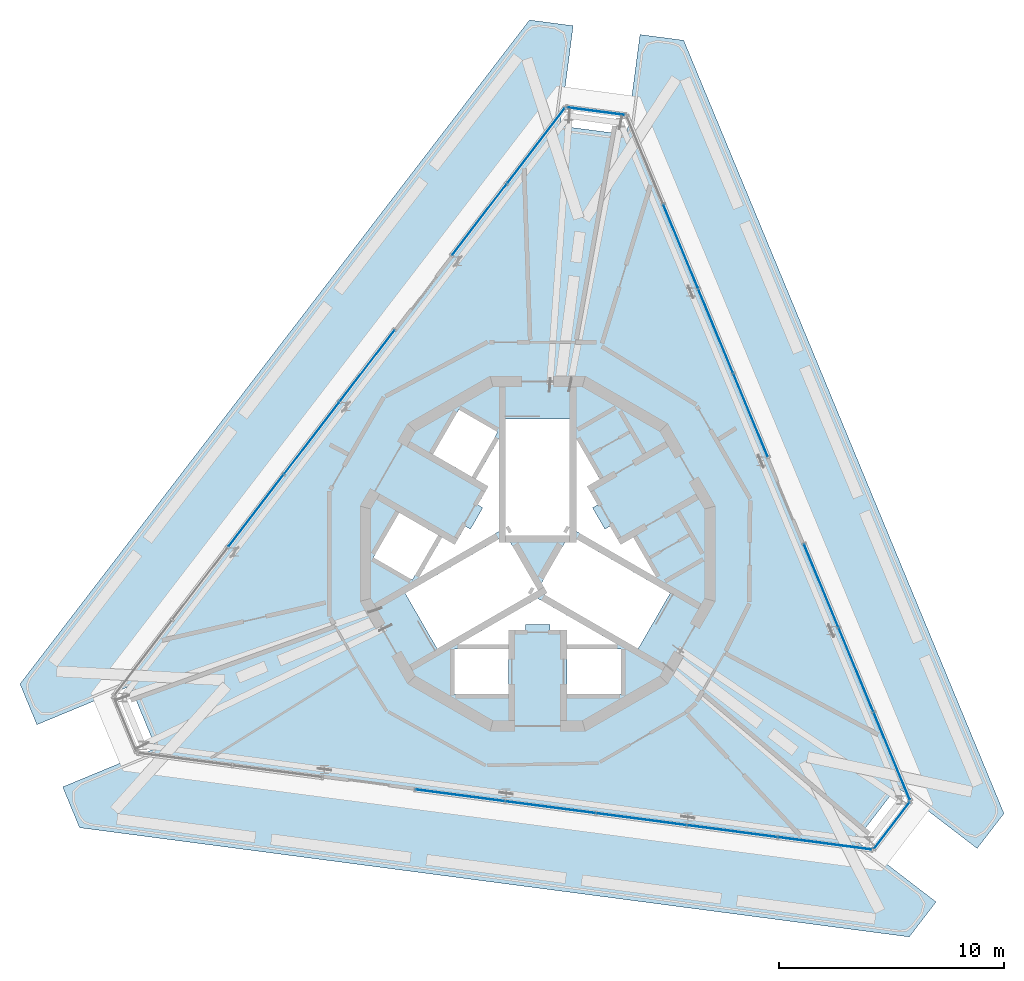
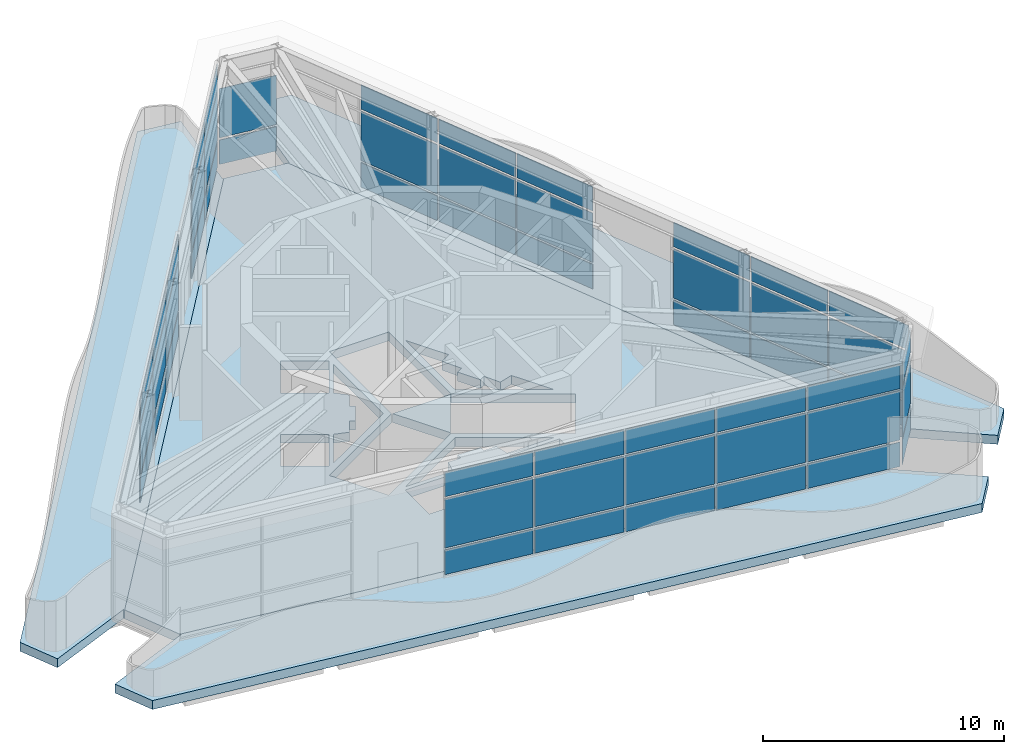
# One storey, part 6 of 10: 53 plates, 5 slabs, 7 elements without a shape of their own.
"""IFC4 building model written with IfcOpenShell, lengths in metres."""

from ifc_helpers import new_model, si_unit, direction, frame, origin, origin_2d, place, context, subcontext, project, spatial, polyline, rectangle, outline, extrude, material, layer, layer_set, type_object, element, aggregate, save


model = new_model("IFC4")

# Units and contexts
model_context = context("Model", 3, precision=1e-05, world=origin(), true_north=direction((0.0, 1.0)))
body_context = subcontext(model_context, "Body", "Model", "MODEL_VIEW")
ifc_project = project(units=[si_unit("LENGTHUNIT", "METRE"), si_unit("AREAUNIT", "SQUARE_METRE"), si_unit("VOLUMEUNIT", "CUBIC_METRE"), si_unit("PLANEANGLEUNIT", "RADIAN"), si_unit("MASSUNIT", "GRAM", prefix="KILO")], contexts=[model_context])

# Site, building, storey
site_placement = place(None, origin())
site = spatial("IfcSite", under=ifc_project, at=site_placement, CompositionType="ELEMENT")
building_placement = place(site_placement, origin())
building = spatial("IfcBuilding", under=site, at=building_placement, Name="Trine Commons Tower", CompositionType="ELEMENT")
storey_placement = place(building_placement, frame((0.0, 0.0, 300.60009765625)))
storey = spatial("IfcBuildingStorey", under=building, at=storey_placement, Name="CROWN", CompositionType="ELEMENT", Elevation=300.60009765625)

# Slabs
ifc_material_1 = material(Name="Concrete C40/50", Category="concrete")
ifc_layer_1 = layer(ifc_material_1, 0.449951171875)
ifc_layer_set_1 = layer_set([ifc_layer_1], Name="Concrete C40/50")
slab_type_1 = type_object("IfcSlabType", Name="Crown floor slab 450 mm, C40/50", PredefinedType="FLOOR", material=ifc_layer_set_1)
slab_1_placement = place(storey_placement, frame((0.0, 0.0, -0.4501953125)))
element("IfcSlab", 1, at=slab_1_placement, inside=storey, type_object=slab_type_1, Name="Floor slab CROWN", PredefinedType="FLOOR", context=body_context, shape_type="SweptSolid", body=[
    extrude(outline(polyline([(94.206298828125, 49.77978515625), (95.963623046875, 52.070068359375), (83.912841796875, 81.1630859375), (81.05078125, 81.539794921875), (61.880859375, 56.55712890625), (62.985595703125, 53.89013671875), (94.206298828125, 49.77978515625)]), holes=[polyline([(78.699951171875, 56.25), (78.699951171875, 58.25), (76.300048828125, 58.25), (76.300048828125, 56.25), (78.699951171875, 56.25)]), polyline([(83.699951171875, 56.25), (83.699951171875, 58.25), (81.300048828125, 58.25), (81.300048828125, 56.25), (83.699951171875, 56.25)]), polyline([(81.300048828125, 58.449951171875), (83.56494140625, 58.449951171875), (80.0, 60.508056640625), (76.43505859375, 58.449951171875), (78.699951171875, 58.449951171875), (78.85009765625, 59.10009765625), (79.449951171875, 59.10009765625), (79.449951171875, 59.360107421875), (80.550048828125, 59.360107421875), (80.550048828125, 59.10009765625), (81.14990234375, 59.10009765625), (81.300048828125, 58.449951171875)]), polyline([(81.425048828125, 63.32275390625), (81.425048828125, 68.490478515625), (78.574951171875, 68.490478515625), (78.574951171875, 63.32275390625), (74.099609375, 60.73876953125), (75.5244140625, 58.2705078125), (80.0, 60.8544921875), (84.4755859375, 58.2705078125), (85.900390625, 60.73876953125), (81.425048828125, 63.32275390625)]), polyline([(72.687255859375, 62.333984375), (74.41943359375, 61.333984375), (75.5693359375, 63.325927734375), (73.83740234375, 64.325927734375), (72.687255859375, 62.333984375)]), polyline([(76.381103515625, 63.031005859375), (75.742919921875, 63.22607421875), (74.7099609375, 61.43798828125), (78.27490234375, 63.49609375), (78.27490234375, 67.612060546875), (77.242919921875, 65.823974609375), (77.73095703125, 65.368896484375), (77.3310546875, 64.676025390625), (77.555908203125, 64.5458984375), (77.006103515625, 63.593994140625), (76.781005859375, 63.722900390625), (76.381103515625, 63.031005859375)]), polyline([(82.993896484375, 63.593994140625), (82.444091796875, 64.5458984375), (82.72705078125, 64.7099609375), (82.281005859375, 65.549072265625), (82.757080078125, 65.823974609375), (81.72509765625, 67.612060546875), (81.72509765625, 63.49609375), (85.2900390625, 61.43798828125), (84.257080078125, 63.22607421875), (83.618896484375, 63.031005859375), (83.243896484375, 63.738037109375), (82.993896484375, 63.593994140625)]), polyline([(76.4873046875, 68.916015625), (75.33740234375, 66.924072265625), (77.0693359375, 65.924072265625), (78.219482421875, 67.916015625), (76.4873046875, 68.916015625)])]), origin(), (0.0, 0.0, 1.0), 0.4501953125),
])
slab_2_placement = place(storey_placement, frame((0.0, 0.0, -0.4501953125)))
element("IfcSlab", 2, at=slab_2_placement, inside=storey, type_object=slab_type_1, Name="Floor slab CROWN 2", PredefinedType="FLOOR", context=body_context, shape_type="SweptSolid", body=[
    extrude(outline(polyline([(81.38671875, 63.300537109375), (78.61328125, 63.300537109375), (80.0, 60.89892578125), (81.38671875, 63.300537109375)])), origin(), (0.0, 0.0, 1.0), 0.4501953125),
])

# Curtain wall, plates
ifc_material_2 = material(Name="Crown drum glazing: anodised aluminium frame with low-emissivity double glazed unit, fritted", Category="aluminium")
ifc_layer_2 = layer(ifc_material_2, 0.219970703125)
ifc_layer_set_2 = layer_set([ifc_layer_2], Name="Crown drum glazing: anodised aluminium frame with low-emissivity double glazed unit, fritted")
curtain_wall_type = type_object("IfcCurtainWallType", Name="Crown drum glazing curtain wall CW6", PredefinedType="NOTDEFINED", material=ifc_layer_set_2)
curtain_wall_1_placement = place(storey_placement, origin())
curtain_wall_1 = element("IfcCurtainWall", 3, at=curtain_wall_1_placement, inside=storey, type_object=curtain_wall_type, Name="Crown drum glazing D1.2", PredefinedType="NOTDEFINED")
ifc_material_3 = material(Name="Low-emissivity double glazed unit, fritted")
ifc_layer_3 = layer(ifc_material_3, 0.028076171875)
ifc_layer_set_3 = layer_set([ifc_layer_3], Name="Low-emissivity double glazed unit, fritted")
plate_type_1 = type_object("IfcPlateType", Name="Double glazed unit 28 mm (crown)", PredefinedType="CURTAIN_PANEL", material=ifc_layer_set_3)
plate_1_placement = place(storey_placement, frame((76.5458984375, 51.74169921875, 1.455078125), z_axis=(0.0, 0.0, 1.0), x_axis=(0.991444861374, -0.13052619222, 0.0)))
plate_1 = element("IfcPlate", 4, at=plate_1_placement, type_object=plate_type_1, Name="CW6 panel 1.2", PredefinedType="CURTAIN_PANEL", context=body_context, shape_type="SweptSolid", body=[
    extrude(rectangle(XDim=3.960693359375, YDim=0.028076171875, at=origin_2d()), origin(), (0.0, 0.0, 1.0), 2.489990234375),
])
plate_2_placement = place(storey_placement, frame((80.57177734375, 51.211669921875, 1.455078125), z_axis=(0.0, 0.0, 1.0), x_axis=(0.991444861374, -0.13052619222, 0.0)))
plate_2 = element("IfcPlate", 5, at=plate_2_placement, type_object=plate_type_1, Name="CW6 panel 2.2", PredefinedType="CURTAIN_PANEL", context=body_context, shape_type="SweptSolid", body=[
    extrude(rectangle(XDim=4.00048828125, YDim=0.028076171875, at=origin_2d()), origin(), (0.0, 0.0, 1.0), 2.489990234375),
])
plate_3_placement = place(storey_placement, frame((84.617431640625, 50.67919921875, 1.455078125), z_axis=(0.0, 0.0, 1.0), x_axis=(0.991444861374, -0.13052619222, 0.0)))
plate_3 = element("IfcPlate", 6, at=plate_3_placement, type_object=plate_type_1, Name="CW6 panel 3.2", PredefinedType="CURTAIN_PANEL", context=body_context, shape_type="SweptSolid", body=[
    extrude(rectangle(XDim=4.00048828125, YDim=0.028076171875, at=origin_2d()), origin(), (0.0, 0.0, 1.0), 2.489990234375),
])
plate_4_placement = place(storey_placement, frame((88.6630859375, 50.146484375, 1.455078125), z_axis=(0.0, 0.0, 1.0), x_axis=(0.991444861374, -0.13052619222, 0.0)))
plate_4 = element("IfcPlate", 7, at=plate_4_placement, type_object=plate_type_1, Name="CW6 panel 4.2", PredefinedType="CURTAIN_PANEL", context=body_context, shape_type="SweptSolid", body=[
    extrude(rectangle(XDim=4.00048828125, YDim=0.028076171875, at=origin_2d()), origin(), (0.0, 0.0, 1.0), 2.489990234375),
])
plate_5_placement = place(storey_placement, frame((92.7919921875, 49.602783203125, 1.455078125), z_axis=(0.0, 0.0, 1.0), x_axis=(0.991444861374, -0.13052619222, 0.0)))
plate_5 = element("IfcPlate", 8, at=plate_5_placement, type_object=plate_type_1, Name="CW6 panel 5.2", PredefinedType="CURTAIN_PANEL", context=body_context, shape_type="SweptSolid", body=[
    extrude(rectangle(XDim=4.16845703125, YDim=0.028076171875, at=origin_2d()), origin(), (0.0, 0.0, 1.0), 2.489990234375),
])

# Curtain wall, plate
curtain_wall_2_placement = place(storey_placement, origin())
curtain_wall_2 = element("IfcCurtainWall", 9, at=curtain_wall_2_placement, inside=storey, type_object=curtain_wall_type, Name="Crown drum glazing D2.1", PredefinedType="NOTDEFINED")
plate_6_placement = place(storey_placement, frame((95.76708984375, 50.4013671875, 1.455078125), z_axis=(0.0, 0.0, 1.0), x_axis=(0.608761429009, 0.793353340291, 0.0)))
plate_6 = element("IfcPlate", 10, at=plate_6_placement, type_object=plate_type_1, Name="CW6 panel 1.2", PredefinedType="CURTAIN_PANEL", context=body_context, shape_type="SweptSolid", body=[
    extrude(rectangle(XDim=2.565185546875, YDim=0.028076171875, at=origin_2d()), origin(), (0.0, 0.0, 1.0), 2.489990234375),
])

# Curtain wall, plates
curtain_wall_3_placement = place(storey_placement, origin())
curtain_wall_3 = element("IfcCurtainWall", 11, at=curtain_wall_3_placement, inside=storey, type_object=curtain_wall_type, Name="Crown drum glazing D3.1", PredefinedType="NOTDEFINED")
plate_7_placement = place(storey_placement, frame((95.7685546875, 53.481689453125, 1.455078125), z_axis=(0.0, 0.0, 1.0), x_axis=(-0.382683432365, 0.923879532511, 0.0)))
plate_7 = element("IfcPlate", 12, at=plate_7_placement, type_object=plate_type_1, Name="CW6 panel 1.2", PredefinedType="CURTAIN_PANEL", context=body_context, shape_type="SweptSolid", body=[
    extrude(rectangle(XDim=4.16845703125, YDim=0.028076171875, at=origin_2d()), origin(), (0.0, 0.0, 1.0), 2.489990234375),
])
plate_8_placement = place(storey_placement, frame((94.1748046875, 57.329345703125, 1.455078125), z_axis=(0.0, 0.0, 1.0), x_axis=(-0.382683432365, 0.923879532511, 0.0)))
plate_8 = element("IfcPlate", 13, at=plate_8_placement, type_object=plate_type_1, Name="CW6 panel 2.2", PredefinedType="CURTAIN_PANEL", context=body_context, shape_type="SweptSolid", body=[
    extrude(rectangle(XDim=4.00048828125, YDim=0.028076171875, at=origin_2d()), origin(), (0.0, 0.0, 1.0), 2.489990234375),
])
plate_9_placement = place(storey_placement, frame((92.620849609375, 61.080810546875, 1.455078125), z_axis=(0.0, 0.0, 1.0), x_axis=(-0.382683432365, 0.923879532511, 0.0)))
plate_9 = element("IfcPlate", 14, at=plate_9_placement, type_object=plate_type_1, Name="CW6 panel 3.2", PredefinedType="CURTAIN_PANEL", context=body_context, shape_type="SweptSolid", body=[
    extrude(rectangle(XDim=3.960693359375, YDim=0.028076171875, at=origin_2d()), origin(), (0.0, 0.0, 1.0), 2.489990234375),
])

curtain_wall_4_placement = place(storey_placement, origin())
curtain_wall_4 = element("IfcCurtainWall", 15, at=curtain_wall_4_placement, inside=storey, type_object=curtain_wall_type, Name="Crown drum glazing D3.2", PredefinedType="NOTDEFINED")
plate_10_placement = place(storey_placement, frame((89.482421875, 68.65771484375, 1.455078125), z_axis=(0.0, 0.0, 1.0), x_axis=(-0.382683432365, 0.923879532511, 0.0)))
plate_10 = element("IfcPlate", 16, at=plate_10_placement, type_object=plate_type_1, Name="CW6 panel 1.2", PredefinedType="CURTAIN_PANEL", context=body_context, shape_type="SweptSolid", body=[
    extrude(rectangle(XDim=3.960693359375, YDim=0.028076171875, at=origin_2d()), origin(), (0.0, 0.0, 1.0), 2.489990234375),
])
plate_11_placement = place(storey_placement, frame((87.928466796875, 72.4091796875, 1.455078125), z_axis=(0.0, 0.0, 1.0), x_axis=(-0.382683432365, 0.923879532511, 0.0)))
plate_11 = element("IfcPlate", 17, at=plate_11_placement, type_object=plate_type_1, Name="CW6 panel 2.2", PredefinedType="CURTAIN_PANEL", context=body_context, shape_type="SweptSolid", body=[
    extrude(rectangle(XDim=4.00048828125, YDim=0.028076171875, at=origin_2d()), origin(), (0.0, 0.0, 1.0), 2.489990234375),
])
plate_12_placement = place(storey_placement, frame((86.366943359375, 76.17919921875, 1.455078125), z_axis=(0.0, 0.0, 1.0), x_axis=(-0.382683432365, 0.923879532511, 0.0)))
plate_12 = element("IfcPlate", 18, at=plate_12_placement, type_object=plate_type_1, Name="CW6 panel 3.2", PredefinedType="CURTAIN_PANEL", context=body_context, shape_type="SweptSolid", body=[
    extrude(rectangle(XDim=4.00048828125, YDim=0.028076171875, at=origin_2d()), origin(), (0.0, 0.0, 1.0), 2.489990234375),
])

# Curtain wall, plate
curtain_wall_5_placement = place(storey_placement, origin())
curtain_wall_5 = element("IfcCurtainWall", 19, at=curtain_wall_5_placement, inside=storey, type_object=curtain_wall_type, Name="Crown drum glazing D4.1", PredefinedType="NOTDEFINED")
plate_13_placement = place(storey_placement, frame((82.593994140625, 82.2041015625, 1.455078125), z_axis=(0.0, 0.0, 1.0), x_axis=(-0.991444861374, 0.13052619222, 0.0)))
plate_13 = element("IfcPlate", 20, at=plate_13_placement, type_object=plate_type_1, Name="CW6 panel 1.2", PredefinedType="CURTAIN_PANEL", context=body_context, shape_type="SweptSolid", body=[
    extrude(rectangle(XDim=2.565185546875, YDim=0.028076171875, at=origin_2d()), origin(), (0.0, 0.0, 1.0), 2.489990234375),
])

# Curtain wall, plates
curtain_wall_6_placement = place(storey_placement, origin())
curtain_wall_6 = element("IfcCurtainWall", 21, at=curtain_wall_6_placement, inside=storey, type_object=curtain_wall_type, Name="Crown drum glazing D5.1", PredefinedType="NOTDEFINED")
plate_14_placement = place(storey_placement, frame((79.92578125, 80.6650390625, 1.455078125), z_axis=(0.0, 0.0, 1.0), x_axis=(-0.608761429009, -0.793353340291, 0.0)))
plate_14 = element("IfcPlate", 22, at=plate_14_placement, type_object=plate_type_1, Name="CW6 panel 1.2", PredefinedType="CURTAIN_PANEL", context=body_context, shape_type="SweptSolid", body=[
    extrude(rectangle(XDim=4.16845703125, YDim=0.028076171875, at=origin_2d()), origin(), (0.0, 0.0, 1.0), 2.489990234375),
])
plate_15_placement = place(storey_placement, frame((77.402587890625, 77.376953125, 1.455078125), z_axis=(0.0, 0.0, 1.0), x_axis=(-0.608761429009, -0.793353340291, 0.0)))
plate_15 = element("IfcPlate", 23, at=plate_15_placement, type_object=plate_type_1, Name="CW6 panel 2.2", PredefinedType="CURTAIN_PANEL", context=body_context, shape_type="SweptSolid", body=[
    extrude(rectangle(XDim=3.960693359375, YDim=0.028076171875, at=origin_2d()), origin(), (0.0, 0.0, 1.0), 2.489990234375),
])

curtain_wall_7_placement = place(storey_placement, origin())
curtain_wall_7 = element("IfcCurtainWall", 24, at=curtain_wall_7_placement, inside=storey, type_object=curtain_wall_type, Name="Crown drum glazing D5.2", PredefinedType="NOTDEFINED")
plate_16_placement = place(storey_placement, frame((72.41015625, 70.87060546875, 1.455078125), z_axis=(0.0, 0.0, 1.0), x_axis=(-0.608761429009, -0.793353340291, 0.0)))
plate_16 = element("IfcPlate", 25, at=plate_16_placement, type_object=plate_type_1, Name="CW6 panel 1.2", PredefinedType="CURTAIN_PANEL", context=body_context, shape_type="SweptSolid", body=[
    extrude(rectangle(XDim=3.960693359375, YDim=0.028076171875, at=origin_2d()), origin(), (0.0, 0.0, 1.0), 2.489990234375),
])
plate_17_placement = place(storey_placement, frame((69.938232421875, 67.64892578125, 1.455078125), z_axis=(0.0, 0.0, 1.0), x_axis=(-0.608761429009, -0.793353340291, 0.0)))
plate_17 = element("IfcPlate", 26, at=plate_17_placement, type_object=plate_type_1, Name="CW6 panel 2.2", PredefinedType="CURTAIN_PANEL", context=body_context, shape_type="SweptSolid", body=[
    extrude(rectangle(XDim=4.00048828125, YDim=0.028076171875, at=origin_2d()), origin(), (0.0, 0.0, 1.0), 2.489990234375),
])
plate_18_placement = place(storey_placement, frame((67.4541015625, 64.41162109375, 1.455078125), z_axis=(0.0, 0.0, 1.0), x_axis=(-0.608761429009, -0.793353340291, 0.0)))
plate_18 = element("IfcPlate", 27, at=plate_18_placement, type_object=plate_type_1, Name="CW6 panel 3.2", PredefinedType="CURTAIN_PANEL", context=body_context, shape_type="SweptSolid", body=[
    extrude(rectangle(XDim=4.00048828125, YDim=0.028076171875, at=origin_2d()), origin(), (0.0, 0.0, 1.0), 2.489990234375),
])

# Plate
ifc_material_4 = material(Name="Anodised aluminium louvre blades", Category="aluminium")
ifc_layer_4 = layer(ifc_material_4, 0.10009765625)
ifc_layer_set_4 = layer_set([ifc_layer_4], Name="Anodised aluminium louvre blades")
plate_type_2 = type_object("IfcPlateType", Name="Fixed aluminium louvre panel 100", PredefinedType="CURTAIN_PANEL", material=ifc_layer_set_4)
plate_19_placement = place(storey_placement, frame((76.5458984375, 51.74169921875, 0.10986328125), z_axis=(0.0, 0.0, 1.0), x_axis=(0.991444861374, -0.13052619222, 0.0)))
plate_19 = element("IfcPlate", 28, at=plate_19_placement, type_object=plate_type_2, Name="CW6 panel 1.1", PredefinedType="CURTAIN_PANEL", context=body_context, shape_type="SweptSolid", body=[
    extrude(rectangle(XDim=3.960693359375, YDim=0.028076171875, at=origin_2d()), origin(), (0.0, 0.0, 1.0), 1.235107421875),
])

plate_20_placement = place(storey_placement, frame((76.5458984375, 51.74169921875, 4.0546875), z_axis=(0.0, 0.0, 1.0), x_axis=(0.991444861374, -0.13052619222, 0.0)))
plate_20 = element("IfcPlate", 29, at=plate_20_placement, type_object=plate_type_2, Name="CW6 panel 1.3", PredefinedType="CURTAIN_PANEL", context=body_context, shape_type="SweptSolid", body=[
    extrude(rectangle(XDim=3.960693359375, YDim=0.028076171875, at=origin_2d()), origin(), (0.0, 0.0, 1.0), 1.235107421875),
])

plate_21_placement = place(storey_placement, frame((80.57177734375, 51.211669921875, 0.10986328125), z_axis=(0.0, 0.0, 1.0), x_axis=(0.991444861374, -0.13052619222, 0.0)))
plate_21 = element("IfcPlate", 30, at=plate_21_placement, type_object=plate_type_2, Name="CW6 panel 2.1", PredefinedType="CURTAIN_PANEL", context=body_context, shape_type="SweptSolid", body=[
    extrude(rectangle(XDim=4.00048828125, YDim=0.028076171875, at=origin_2d()), origin(), (0.0, 0.0, 1.0), 1.235107421875),
])

plate_22_placement = place(storey_placement, frame((80.57177734375, 51.211669921875, 4.0546875), z_axis=(0.0, 0.0, 1.0), x_axis=(0.991444861374, -0.13052619222, 0.0)))
plate_22 = element("IfcPlate", 31, at=plate_22_placement, type_object=plate_type_2, Name="CW6 panel 2.3", PredefinedType="CURTAIN_PANEL", context=body_context, shape_type="SweptSolid", body=[
    extrude(rectangle(XDim=4.00048828125, YDim=0.028076171875, at=origin_2d()), origin(), (0.0, 0.0, 1.0), 1.235107421875),
])

plate_23_placement = place(storey_placement, frame((84.617431640625, 50.67919921875, 0.10986328125), z_axis=(0.0, 0.0, 1.0), x_axis=(0.991444861374, -0.13052619222, 0.0)))
plate_23 = element("IfcPlate", 32, at=plate_23_placement, type_object=plate_type_2, Name="CW6 panel 3.1", PredefinedType="CURTAIN_PANEL", context=body_context, shape_type="SweptSolid", body=[
    extrude(rectangle(XDim=4.00048828125, YDim=0.028076171875, at=origin_2d()), origin(), (0.0, 0.0, 1.0), 1.235107421875),
])

plate_24_placement = place(storey_placement, frame((84.617431640625, 50.67919921875, 4.0546875), z_axis=(0.0, 0.0, 1.0), x_axis=(0.991444861374, -0.13052619222, 0.0)))
plate_24 = element("IfcPlate", 33, at=plate_24_placement, type_object=plate_type_2, Name="CW6 panel 3.3", PredefinedType="CURTAIN_PANEL", context=body_context, shape_type="SweptSolid", body=[
    extrude(rectangle(XDim=4.00048828125, YDim=0.028076171875, at=origin_2d()), origin(), (0.0, 0.0, 1.0), 1.235107421875),
])

plate_25_placement = place(storey_placement, frame((88.6630859375, 50.146484375, 0.10986328125), z_axis=(0.0, 0.0, 1.0), x_axis=(0.991444861374, -0.13052619222, 0.0)))
plate_25 = element("IfcPlate", 34, at=plate_25_placement, type_object=plate_type_2, Name="CW6 panel 4.1", PredefinedType="CURTAIN_PANEL", context=body_context, shape_type="SweptSolid", body=[
    extrude(rectangle(XDim=4.00048828125, YDim=0.028076171875, at=origin_2d()), origin(), (0.0, 0.0, 1.0), 1.235107421875),
])

plate_26_placement = place(storey_placement, frame((88.6630859375, 50.146484375, 4.0546875), z_axis=(0.0, 0.0, 1.0), x_axis=(0.991444861374, -0.13052619222, 0.0)))
plate_26 = element("IfcPlate", 35, at=plate_26_placement, type_object=plate_type_2, Name="CW6 panel 4.3", PredefinedType="CURTAIN_PANEL", context=body_context, shape_type="SweptSolid", body=[
    extrude(rectangle(XDim=4.00048828125, YDim=0.028076171875, at=origin_2d()), origin(), (0.0, 0.0, 1.0), 1.235107421875),
])

plate_27_placement = place(storey_placement, frame((92.7919921875, 49.602783203125, 0.10986328125), z_axis=(0.0, 0.0, 1.0), x_axis=(0.991444861374, -0.13052619222, 0.0)))
plate_27 = element("IfcPlate", 36, at=plate_27_placement, type_object=plate_type_2, Name="CW6 panel 5.1", PredefinedType="CURTAIN_PANEL", context=body_context, shape_type="SweptSolid", body=[
    extrude(rectangle(XDim=4.16845703125, YDim=0.028076171875, at=origin_2d()), origin(), (0.0, 0.0, 1.0), 1.235107421875),
])

plate_28_placement = place(storey_placement, frame((92.7919921875, 49.602783203125, 4.0546875), z_axis=(0.0, 0.0, 1.0), x_axis=(0.991444861374, -0.13052619222, 0.0)))
plate_28 = element("IfcPlate", 37, at=plate_28_placement, type_object=plate_type_2, Name="CW6 panel 5.3", PredefinedType="CURTAIN_PANEL", context=body_context, shape_type="SweptSolid", body=[
    extrude(rectangle(XDim=4.16845703125, YDim=0.028076171875, at=origin_2d()), origin(), (0.0, 0.0, 1.0), 1.235107421875),
])

aggregate(curtain_wall_1, [plate_19, plate_1, plate_20, plate_21, plate_2, plate_22, plate_23, plate_3, plate_24, plate_25, plate_4, plate_26, plate_27, plate_5, plate_28])

plate_29_placement = place(storey_placement, frame((95.76708984375, 50.4013671875, 0.10986328125), z_axis=(0.0, 0.0, 1.0), x_axis=(0.608761429009, 0.793353340291, 0.0)))
plate_29 = element("IfcPlate", 38, at=plate_29_placement, type_object=plate_type_2, Name="CW6 panel 1.1", PredefinedType="CURTAIN_PANEL", context=body_context, shape_type="SweptSolid", body=[
    extrude(rectangle(XDim=2.565185546875, YDim=0.028076171875, at=origin_2d()), origin(), (0.0, 0.0, 1.0), 1.235107421875),
])

plate_30_placement = place(storey_placement, frame((95.76708984375, 50.4013671875, 4.0546875), z_axis=(0.0, 0.0, 1.0), x_axis=(0.608761429009, 0.793353340291, 0.0)))
plate_30 = element("IfcPlate", 39, at=plate_30_placement, type_object=plate_type_2, Name="CW6 panel 1.3", PredefinedType="CURTAIN_PANEL", context=body_context, shape_type="SweptSolid", body=[
    extrude(rectangle(XDim=2.565185546875, YDim=0.028076171875, at=origin_2d()), origin(), (0.0, 0.0, 1.0), 1.235107421875),
])

aggregate(curtain_wall_2, [plate_29, plate_6, plate_30])

plate_31_placement = place(storey_placement, frame((95.7685546875, 53.481689453125, 0.10986328125), z_axis=(0.0, 0.0, 1.0), x_axis=(-0.382683432365, 0.923879532511, 0.0)))
plate_31 = element("IfcPlate", 40, at=plate_31_placement, type_object=plate_type_2, Name="CW6 panel 1.1", PredefinedType="CURTAIN_PANEL", context=body_context, shape_type="SweptSolid", body=[
    extrude(rectangle(XDim=4.16845703125, YDim=0.028076171875, at=origin_2d()), origin(), (0.0, 0.0, 1.0), 1.235107421875),
])

plate_32_placement = place(storey_placement, frame((95.7685546875, 53.481689453125, 4.0546875), z_axis=(0.0, 0.0, 1.0), x_axis=(-0.382683432365, 0.923879532511, 0.0)))
plate_32 = element("IfcPlate", 41, at=plate_32_placement, type_object=plate_type_2, Name="CW6 panel 1.3", PredefinedType="CURTAIN_PANEL", context=body_context, shape_type="SweptSolid", body=[
    extrude(rectangle(XDim=4.16845703125, YDim=0.028076171875, at=origin_2d()), origin(), (0.0, 0.0, 1.0), 1.235107421875),
])

plate_33_placement = place(storey_placement, frame((94.1748046875, 57.329345703125, 0.10986328125), z_axis=(0.0, 0.0, 1.0), x_axis=(-0.382683432365, 0.923879532511, 0.0)))
plate_33 = element("IfcPlate", 42, at=plate_33_placement, type_object=plate_type_2, Name="CW6 panel 2.1", PredefinedType="CURTAIN_PANEL", context=body_context, shape_type="SweptSolid", body=[
    extrude(rectangle(XDim=4.00048828125, YDim=0.028076171875, at=origin_2d()), origin(), (0.0, 0.0, 1.0), 1.235107421875),
])

plate_34_placement = place(storey_placement, frame((94.1748046875, 57.329345703125, 4.0546875), z_axis=(0.0, 0.0, 1.0), x_axis=(-0.382683432365, 0.923879532511, 0.0)))
plate_34 = element("IfcPlate", 43, at=plate_34_placement, type_object=plate_type_2, Name="CW6 panel 2.3", PredefinedType="CURTAIN_PANEL", context=body_context, shape_type="SweptSolid", body=[
    extrude(rectangle(XDim=4.00048828125, YDim=0.028076171875, at=origin_2d()), origin(), (0.0, 0.0, 1.0), 1.235107421875),
])

plate_35_placement = place(storey_placement, frame((92.620849609375, 61.080810546875, 0.10986328125), z_axis=(0.0, 0.0, 1.0), x_axis=(-0.382683432365, 0.923879532511, 0.0)))
plate_35 = element("IfcPlate", 44, at=plate_35_placement, type_object=plate_type_2, Name="CW6 panel 3.1", PredefinedType="CURTAIN_PANEL", context=body_context, shape_type="SweptSolid", body=[
    extrude(rectangle(XDim=3.960693359375, YDim=0.028076171875, at=origin_2d()), origin(), (0.0, 0.0, 1.0), 1.235107421875),
])

plate_36_placement = place(storey_placement, frame((92.620849609375, 61.080810546875, 4.0546875), z_axis=(0.0, 0.0, 1.0), x_axis=(-0.382683432365, 0.923879532511, 0.0)))
plate_36 = element("IfcPlate", 45, at=plate_36_placement, type_object=plate_type_2, Name="CW6 panel 3.3", PredefinedType="CURTAIN_PANEL", context=body_context, shape_type="SweptSolid", body=[
    extrude(rectangle(XDim=3.960693359375, YDim=0.028076171875, at=origin_2d()), origin(), (0.0, 0.0, 1.0), 1.235107421875),
])

aggregate(curtain_wall_3, [plate_31, plate_7, plate_32, plate_33, plate_8, plate_34, plate_35, plate_9, plate_36])

plate_37_placement = place(storey_placement, frame((89.482421875, 68.65771484375, 0.10986328125), z_axis=(0.0, 0.0, 1.0), x_axis=(-0.382683432365, 0.923879532511, 0.0)))
plate_37 = element("IfcPlate", 46, at=plate_37_placement, type_object=plate_type_2, Name="CW6 panel 1.1", PredefinedType="CURTAIN_PANEL", context=body_context, shape_type="SweptSolid", body=[
    extrude(rectangle(XDim=3.960693359375, YDim=0.028076171875, at=origin_2d()), origin(), (0.0, 0.0, 1.0), 1.235107421875),
])

plate_38_placement = place(storey_placement, frame((89.482421875, 68.65771484375, 4.0546875), z_axis=(0.0, 0.0, 1.0), x_axis=(-0.382683432365, 0.923879532511, 0.0)))
plate_38 = element("IfcPlate", 47, at=plate_38_placement, type_object=plate_type_2, Name="CW6 panel 1.3", PredefinedType="CURTAIN_PANEL", context=body_context, shape_type="SweptSolid", body=[
    extrude(rectangle(XDim=3.960693359375, YDim=0.028076171875, at=origin_2d()), origin(), (0.0, 0.0, 1.0), 1.235107421875),
])

plate_39_placement = place(storey_placement, frame((87.928466796875, 72.4091796875, 0.10986328125), z_axis=(0.0, 0.0, 1.0), x_axis=(-0.382683432365, 0.923879532511, 0.0)))
plate_39 = element("IfcPlate", 48, at=plate_39_placement, type_object=plate_type_2, Name="CW6 panel 2.1", PredefinedType="CURTAIN_PANEL", context=body_context, shape_type="SweptSolid", body=[
    extrude(rectangle(XDim=4.00048828125, YDim=0.028076171875, at=origin_2d()), origin(), (0.0, 0.0, 1.0), 1.235107421875),
])

plate_40_placement = place(storey_placement, frame((87.928466796875, 72.4091796875, 4.0546875), z_axis=(0.0, 0.0, 1.0), x_axis=(-0.382683432365, 0.923879532511, 0.0)))
plate_40 = element("IfcPlate", 49, at=plate_40_placement, type_object=plate_type_2, Name="CW6 panel 2.3", PredefinedType="CURTAIN_PANEL", context=body_context, shape_type="SweptSolid", body=[
    extrude(rectangle(XDim=4.00048828125, YDim=0.028076171875, at=origin_2d()), origin(), (0.0, 0.0, 1.0), 1.235107421875),
])

plate_41_placement = place(storey_placement, frame((86.366943359375, 76.17919921875, 0.10986328125), z_axis=(0.0, 0.0, 1.0), x_axis=(-0.382683432365, 0.923879532511, 0.0)))
plate_41 = element("IfcPlate", 50, at=plate_41_placement, type_object=plate_type_2, Name="CW6 panel 3.1", PredefinedType="CURTAIN_PANEL", context=body_context, shape_type="SweptSolid", body=[
    extrude(rectangle(XDim=4.00048828125, YDim=0.028076171875, at=origin_2d()), origin(), (0.0, 0.0, 1.0), 1.235107421875),
])

plate_42_placement = place(storey_placement, frame((86.366943359375, 76.17919921875, 4.0546875), z_axis=(0.0, 0.0, 1.0), x_axis=(-0.382683432365, 0.923879532511, 0.0)))
plate_42 = element("IfcPlate", 51, at=plate_42_placement, type_object=plate_type_2, Name="CW6 panel 3.3", PredefinedType="CURTAIN_PANEL", context=body_context, shape_type="SweptSolid", body=[
    extrude(rectangle(XDim=4.00048828125, YDim=0.028076171875, at=origin_2d()), origin(), (0.0, 0.0, 1.0), 1.235107421875),
])

aggregate(curtain_wall_4, [plate_37, plate_10, plate_38, plate_39, plate_11, plate_40, plate_41, plate_12, plate_42])

plate_43_placement = place(storey_placement, frame((82.593994140625, 82.2041015625, 0.10986328125), z_axis=(0.0, 0.0, 1.0), x_axis=(-0.991444861374, 0.13052619222, 0.0)))
plate_43 = element("IfcPlate", 52, at=plate_43_placement, type_object=plate_type_2, Name="CW6 panel 1.1", PredefinedType="CURTAIN_PANEL", context=body_context, shape_type="SweptSolid", body=[
    extrude(rectangle(XDim=2.565185546875, YDim=0.028076171875, at=origin_2d()), origin(), (0.0, 0.0, 1.0), 1.235107421875),
])

aggregate(curtain_wall_5, [plate_43, plate_13])

plate_44_placement = place(storey_placement, frame((79.92578125, 80.6650390625, 0.10986328125), z_axis=(0.0, 0.0, 1.0), x_axis=(-0.608761429009, -0.793353340291, 0.0)))
plate_44 = element("IfcPlate", 53, at=plate_44_placement, type_object=plate_type_2, Name="CW6 panel 1.1", PredefinedType="CURTAIN_PANEL", context=body_context, shape_type="SweptSolid", body=[
    extrude(rectangle(XDim=4.16845703125, YDim=0.028076171875, at=origin_2d()), origin(), (0.0, 0.0, 1.0), 1.235107421875),
])

plate_45_placement = place(storey_placement, frame((79.92578125, 80.6650390625, 4.0546875), z_axis=(0.0, 0.0, 1.0), x_axis=(-0.608761429009, -0.793353340291, 0.0)))
plate_45 = element("IfcPlate", 54, at=plate_45_placement, type_object=plate_type_2, Name="CW6 panel 1.3", PredefinedType="CURTAIN_PANEL", context=body_context, shape_type="SweptSolid", body=[
    extrude(rectangle(XDim=4.16845703125, YDim=0.028076171875, at=origin_2d()), origin(), (0.0, 0.0, 1.0), 1.235107421875),
])

plate_46_placement = place(storey_placement, frame((77.402587890625, 77.376953125, 0.10986328125), z_axis=(0.0, 0.0, 1.0), x_axis=(-0.608761429009, -0.793353340291, 0.0)))
plate_46 = element("IfcPlate", 55, at=plate_46_placement, type_object=plate_type_2, Name="CW6 panel 2.1", PredefinedType="CURTAIN_PANEL", context=body_context, shape_type="SweptSolid", body=[
    extrude(rectangle(XDim=3.960693359375, YDim=0.028076171875, at=origin_2d()), origin(), (0.0, 0.0, 1.0), 1.235107421875),
])

plate_47_placement = place(storey_placement, frame((77.402587890625, 77.376953125, 4.0546875), z_axis=(0.0, 0.0, 1.0), x_axis=(-0.608761429009, -0.793353340291, 0.0)))
plate_47 = element("IfcPlate", 56, at=plate_47_placement, type_object=plate_type_2, Name="CW6 panel 2.3", PredefinedType="CURTAIN_PANEL", context=body_context, shape_type="SweptSolid", body=[
    extrude(rectangle(XDim=3.960693359375, YDim=0.028076171875, at=origin_2d()), origin(), (0.0, 0.0, 1.0), 1.235107421875),
])

aggregate(curtain_wall_6, [plate_44, plate_14, plate_45, plate_46, plate_15, plate_47])

plate_48_placement = place(storey_placement, frame((72.41015625, 70.87060546875, 0.10986328125), z_axis=(0.0, 0.0, 1.0), x_axis=(-0.608761429009, -0.793353340291, 0.0)))
plate_48 = element("IfcPlate", 57, at=plate_48_placement, type_object=plate_type_2, Name="CW6 panel 1.1", PredefinedType="CURTAIN_PANEL", context=body_context, shape_type="SweptSolid", body=[
    extrude(rectangle(XDim=3.960693359375, YDim=0.028076171875, at=origin_2d()), origin(), (0.0, 0.0, 1.0), 1.235107421875),
])

plate_49_placement = place(storey_placement, frame((72.41015625, 70.87060546875, 4.0546875), z_axis=(0.0, 0.0, 1.0), x_axis=(-0.608761429009, -0.793353340291, 0.0)))
plate_49 = element("IfcPlate", 58, at=plate_49_placement, type_object=plate_type_2, Name="CW6 panel 1.3", PredefinedType="CURTAIN_PANEL", context=body_context, shape_type="SweptSolid", body=[
    extrude(rectangle(XDim=3.960693359375, YDim=0.028076171875, at=origin_2d()), origin(), (0.0, 0.0, 1.0), 1.235107421875),
])

plate_50_placement = place(storey_placement, frame((69.938232421875, 67.64892578125, 0.10986328125), z_axis=(0.0, 0.0, 1.0), x_axis=(-0.608761429009, -0.793353340291, 0.0)))
plate_50 = element("IfcPlate", 59, at=plate_50_placement, type_object=plate_type_2, Name="CW6 panel 2.1", PredefinedType="CURTAIN_PANEL", context=body_context, shape_type="SweptSolid", body=[
    extrude(rectangle(XDim=4.00048828125, YDim=0.028076171875, at=origin_2d()), origin(), (0.0, 0.0, 1.0), 1.235107421875),
])

plate_51_placement = place(storey_placement, frame((69.938232421875, 67.64892578125, 4.0546875), z_axis=(0.0, 0.0, 1.0), x_axis=(-0.608761429009, -0.793353340291, 0.0)))
plate_51 = element("IfcPlate", 60, at=plate_51_placement, type_object=plate_type_2, Name="CW6 panel 2.3", PredefinedType="CURTAIN_PANEL", context=body_context, shape_type="SweptSolid", body=[
    extrude(rectangle(XDim=4.00048828125, YDim=0.028076171875, at=origin_2d()), origin(), (0.0, 0.0, 1.0), 1.235107421875),
])

plate_52_placement = place(storey_placement, frame((67.4541015625, 64.41162109375, 0.10986328125), z_axis=(0.0, 0.0, 1.0), x_axis=(-0.608761429009, -0.793353340291, 0.0)))
plate_52 = element("IfcPlate", 61, at=plate_52_placement, type_object=plate_type_2, Name="CW6 panel 3.1", PredefinedType="CURTAIN_PANEL", context=body_context, shape_type="SweptSolid", body=[
    extrude(rectangle(XDim=4.00048828125, YDim=0.028076171875, at=origin_2d()), origin(), (0.0, 0.0, 1.0), 1.235107421875),
])

plate_53_placement = place(storey_placement, frame((67.4541015625, 64.41162109375, 4.0546875), z_axis=(0.0, 0.0, 1.0), x_axis=(-0.608761429009, -0.793353340291, 0.0)))
plate_53 = element("IfcPlate", 62, at=plate_53_placement, type_object=plate_type_2, Name="CW6 panel 3.3", PredefinedType="CURTAIN_PANEL", context=body_context, shape_type="SweptSolid", body=[
    extrude(rectangle(XDim=4.00048828125, YDim=0.028076171875, at=origin_2d()), origin(), (0.0, 0.0, 1.0), 1.235107421875),
])

aggregate(curtain_wall_7, [plate_48, plate_16, plate_49, plate_50, plate_17, plate_51, plate_52, plate_18, plate_53])

# Slabs
ifc_layer_5 = layer(ifc_material_1, 0.449951171875)
ifc_layer_set_5 = layer_set([ifc_layer_5], Name="Concrete C40/50")
slab_type_2 = type_object("IfcSlabType", Name="Roof terrace slab 450 mm, C40/50", PredefinedType="ROOF", material=ifc_layer_set_5)
slab_3_placement = place(storey_placement, frame((0.0, 0.0, -0.4501953125)))
element("IfcSlab", 63, at=slab_3_placement, inside=storey, type_object=slab_type_2, Name="Loggia slab CROWN", PredefinedType="ROOF", context=body_context, shape_type="SweptSolid", body=[
    extrude(outline(polyline([(100.763916015625, 50.933837890625), (86.503662109375, 85.36083984375), (84.556396484375, 85.6171875), (83.968994140625, 81.15576171875), (83.912841796875, 81.1630859375), (95.963623046875, 52.070068359375), (95.998046875, 52.114990234375), (99.568115234375, 49.37548828125), (100.763916015625, 50.933837890625)])), origin(), (0.0, 0.0, 1.0), 0.4501953125),
])
slab_4_placement = place(storey_placement, frame((0.0, 0.0, -0.4501953125)))
element("IfcSlab", 64, at=slab_4_placement, inside=storey, type_object=slab_type_2, Name="Loggia slab CROWN 2", PredefinedType="ROOF", context=body_context, shape_type="SweptSolid", body=[
    extrude(outline(polyline([(94.206298828125, 49.77978515625), (62.985595703125, 53.89013671875), (63.007080078125, 53.837890625), (58.849853515625, 52.11572265625), (59.601318359375, 50.301025390625), (96.546142578125, 45.437255859375), (97.741943359375, 46.99560546875), (94.171875, 49.73486328125), (94.206298828125, 49.77978515625)])), origin(), (0.0, 0.0, 1.0), 0.4501953125),
])
slab_5_placement = place(storey_placement, frame((0.0, 0.0, -0.4501953125)))
element("IfcSlab", 65, at=slab_5_placement, inside=storey, type_object=slab_type_2, Name="Loggia slab CROWN 3", PredefinedType="ROOF", context=body_context, shape_type="SweptSolid", body=[
    extrude(outline(polyline([(61.880859375, 56.55712890625), (81.05078125, 81.539794921875), (80.99462890625, 81.54736328125), (81.58203125, 86.0087890625), (79.634765625, 86.26513671875), (56.9501953125, 56.701904296875), (57.70166015625, 54.88720703125), (61.859130859375, 56.609375), (61.880859375, 56.55712890625)])), origin(), (0.0, 0.0, 1.0), 0.4501953125),
])

save(model, "model.ifc")
